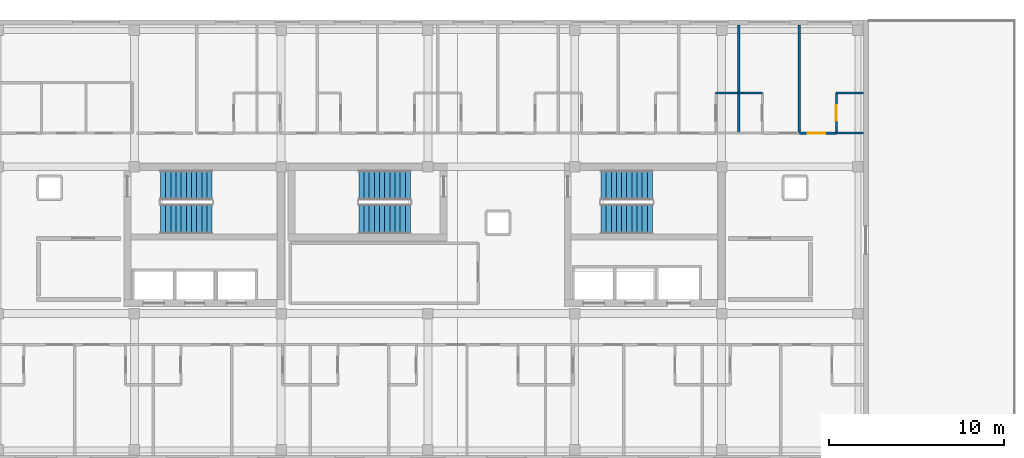
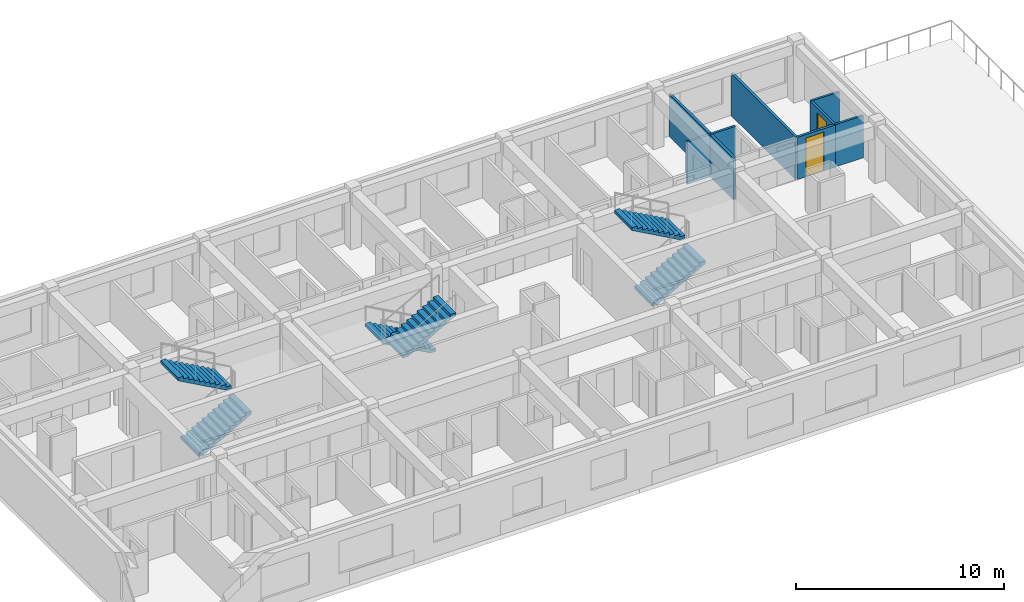
# One storey, part 7 of 9: 8 walls, 6 stair flights, 2 doors, 2 openings, 3 elements without a shape of their own.
"""IFC4 building model written with IfcOpenShell, lengths in metres."""

from ifc_helpers import new_model, si_unit, direction, frame, frame_2d, origin, place, context, subcontext, project, spatial, polyline, rectangle, outline, extrude, material, layer, layer_set, type_object, element, fill, aggregate, save


model = new_model("IFC4")

# Units and contexts
model_context = context("Model", 3, precision=1e-05, world=origin(), true_north=direction((0.0, 1.0)))
body_context = subcontext(model_context, "Body", "Model", "MODEL_VIEW")
ifc_project = project(units=[si_unit("LENGTHUNIT", "METRE"), si_unit("AREAUNIT", "SQUARE_METRE"), si_unit("VOLUMEUNIT", "CUBIC_METRE"), si_unit("PLANEANGLEUNIT", "RADIAN"), si_unit("MASSUNIT", "GRAM", prefix="KILO")], contexts=[model_context])

# Site, building, storey
site_placement = place(None, origin())
site = spatial("IfcSite", under=ifc_project, at=site_placement, CompositionType="ELEMENT")
building_placement = place(site_placement, origin())
building = spatial("IfcBuilding", under=site, at=building_placement, Name="Zayran Congress Hotel", CompositionType="ELEMENT")
storey_placement = place(building_placement, frame((0.0, 0.0, 40.800048828125)))
storey = spatial("IfcBuildingStorey", under=building, at=storey_placement, Name="L10", CompositionType="ELEMENT", Elevation=40.800048828125)

# Wall, opening, door
ifc_material_1 = material(Name="Hospitality guestroom acoustic partition", Category="gypsum")
ifc_layer_1 = layer(ifc_material_1, 0.139892578125)
ifc_layer_set_1 = layer_set([ifc_layer_1], Name="Hospitality guestroom acoustic partition")
wall_type_1 = type_object("IfcWallType", Name="WL-PT-140", PredefinedType="PARTITIONING", material=ifc_layer_set_1)
wall_1_placement = place(storey_placement, frame((63.262939453125, 27.530029296875, 0.0), z_axis=(0.0, 0.0, 1.0), x_axis=(1.0, 0.0, 0.0)))
wall_1 = element("IfcWall", 1, at=wall_1_placement, inside=storey, type_object=wall_type_1, Name="IW-L10-0836", PredefinedType="PARTITIONING", context=body_context, shape_type="SweptSolid", body=[
    extrude(rectangle(XDim=2.107177734375, YDim=0.139892578125, at=frame_2d((1.0537109375, 0.0))), origin(), (0.0, 0.0, 1.0), 2.47998046875),
])
opening_1_placement = place(wall_1_placement, frame((0.465087890625, 0.0, 0.0)))
opening_1 = element("IfcOpeningElement", 2, at=opening_1_placement, cuts=wall_1, Name="Opening DR-GR-04", PredefinedType="OPENING", context=body_context, shape_type="SweptSolid", body=[
    extrude(rectangle(XDim=1.0, YDim=2.280029296875, at=frame_2d((0.5, 1.14013671875))), frame((0.0, 0.079833984375, 0.0), z_axis=(0.0, -1.0, 0.0), x_axis=(1.0, 0.0, 0.0)), (0.0, 0.0, 1.0), 0.159912109375),
])
ifc_material_2 = material(Name="Diplomatic walnut veneer entry door", Category="wood")
door_type_1 = type_object("IfcDoorType", Name="TP-DR-GR-04", OperationType="NOTDEFINED", PredefinedType="DOOR", material=ifc_material_2)
door_1_placement = place(opening_1_placement, origin())
door_1 = element("IfcDoor", 3, at=door_1_placement, inside=storey, type_object=door_type_1, Name="Guest Room L10-22 Door", OperationType="SINGLE_SWING_RIGHT", OverallHeight=2.280029296875, OverallWidth=1.0, PredefinedType="DOOR", context=body_context, shape_type="SweptSolid", body=[
    extrude(rectangle(XDim=1.0, YDim=2.280029296875, at=frame_2d((0.5, 1.14013671875))), frame((0.0, 0.02490234375, 0.0), z_axis=(0.0, -1.0, 0.0), x_axis=(1.0, 0.0, 0.0)), (0.0, 0.0, 1.0), 0.050048828125),
])
fill(opening_1, door_1)

# Walls
for number, where, z_axis, x_axis, name in (
    (4, (59.794921875, 27.52001953125, 0.0), (0.0, 0.0, 1.0), (0.0, 1.0, 0.0), "IW-L10-2169"),
    (5, (63.242919921875, 27.52001953125, 0.0), (0.0, 0.0, 1.0), (0.0, 1.0, 0.0), "IW-L10-2170"),
):
    element("IfcWall", number, at=place(storey_placement, frame(where, z_axis=z_axis, x_axis=x_axis)), inside=storey, type_object=wall_type_1, Name=name, PredefinedType="PARTITIONING", context=body_context, shape_type="SweptSolid", body=[
        extrude(rectangle(XDim=6.199951171875, YDim=0.139892578125, at=frame_2d((3.10009765625, 0.0))), origin(), (0.0, 0.0, 1.0), 2.47998046875),
    ])

# Wall, opening, door
ifc_material_3 = material(Name="Moisture-resistant bathroom partition", Category="gypsum")
ifc_layer_2 = layer(ifc_material_3, 0.1201171875)
ifc_layer_set_2 = layer_set([ifc_layer_2], Name="Moisture-resistant bathroom partition")
wall_type_2 = type_object("IfcWallType", Name="WL-PT-120", PredefinedType="PARTITIONING", material=ifc_layer_set_2)
wall_2_placement = place(storey_placement, frame((65.3701171875, 27.52001953125, 0.0), z_axis=(0.0, 0.0, 1.0), x_axis=(0.0, 1.0, 0.0)))
wall_2 = element("IfcWall", 6, at=wall_2_placement, inside=storey, type_object=wall_type_2, Name="IW-L10-0316", PredefinedType="PARTITIONING", context=body_context, shape_type="SweptSolid", body=[
    extrude(rectangle(XDim=2.31005859375, YDim=0.1201171875, at=frame_2d((1.155029296875, 0.0))), origin(), (0.0, 0.0, 1.0), 2.47998046875),
])
opening_2_placement = place(wall_2_placement, frame((0.705078125, 0.0, 0.0)))
opening_2 = element("IfcOpeningElement", 7, at=opening_2_placement, cuts=wall_2, Name="Opening DR-BT-03", PredefinedType="OPENING", context=body_context, shape_type="SweptSolid", body=[
    extrude(rectangle(XDim=0.89990234375, YDim=2.179931640625, at=frame_2d((0.449951171875, 1.08984375))), frame((0.0, 0.070068359375, 0.0), z_axis=(0.0, -1.0, 0.0), x_axis=(1.0, 0.0, 0.0)), (0.0, 0.0, 1.0), 0.14013671875),
])
ifc_material_4 = material(Name="Suite oak en-suite bathroom door", Category="wood")
door_type_2 = type_object("IfcDoorType", Name="TP-DR-BT-03", OperationType="NOTDEFINED", PredefinedType="DOOR", material=ifc_material_4)
door_2_placement = place(opening_2_placement, origin())
door_2 = element("IfcDoor", 8, at=door_2_placement, inside=storey, type_object=door_type_2, Name="En-Suite Bathroom L10-22 Door", OperationType="SINGLE_SWING_LEFT", OverallHeight=2.179931640625, OverallWidth=0.89990234375, PredefinedType="DOOR", context=body_context, shape_type="SweptSolid", body=[
    extrude(rectangle(XDim=0.89990234375, YDim=2.179931640625, at=frame_2d((0.449951171875, 1.08984375))), frame((0.0, 0.02490234375, 0.0), z_axis=(0.0, -1.0, 0.0), x_axis=(1.0, 0.0, 0.0)), (0.0, 0.0, 1.0), 0.050048828125),
])
fill(opening_2, door_2)

# Walls
wall_3_placement = place(storey_placement, frame((58.465087890625, 29.820068359375, 0.0), z_axis=(0.0, 0.0, 1.0), x_axis=(1.0, 0.0, 0.0)))
element("IfcWall", 9, at=wall_3_placement, inside=storey, type_object=wall_type_2, Name="IW-L10-1496", PredefinedType="PARTITIONING", context=body_context, shape_type="SweptSolid", body=[
    extrude(rectangle(XDim=1.33984375, YDim=0.1201171875, at=frame_2d((0.669921875, 0.0))), origin(), (0.0, 0.0, 1.0), 2.47998046875),
])
wall_4_placement = place(storey_placement, frame((59.804931640625, 29.820068359375, 0.0), z_axis=(0.0, 0.0, 1.0), x_axis=(1.0, 0.0, 0.0)))
element("IfcWall", 10, at=wall_4_placement, inside=storey, type_object=wall_type_2, Name="IW-L10-1498", PredefinedType="PARTITIONING", context=body_context, shape_type="SweptSolid", body=[
    extrude(rectangle(XDim=1.340087890625, YDim=0.1201171875, at=frame_2d((0.669921875, 0.0))), origin(), (0.0, 0.0, 1.0), 2.47998046875),
])
for number, where, z_axis, x_axis, name in (
    (11, (65.360107421875, 27.530029296875, 0.0), (0.0, 0.0, 1.0), (1.0, 0.0, 0.0), "IW-L10-1499"),
    (12, (65.360107421875, 29.820068359375, 0.0), (0.0, 0.0, 1.0), (1.0, 0.0, 0.0), "IW-L10-1500"),
):
    element("IfcWall", number, at=place(storey_placement, frame(where, z_axis=z_axis, x_axis=x_axis)), inside=storey, type_object=wall_type_2, Name=name, PredefinedType="PARTITIONING", context=body_context, shape_type="SweptSolid", body=[
        extrude(rectangle(XDim=1.559814453125, YDim=0.1201171875, at=frame_2d((0.77978515625, 0.0))), origin(), (0.0, 0.0, 1.0), 2.47998046875),
    ])

# Stair, stair flights
ifc_material_5 = material(Name="Concrete C32/40", Category="concrete")
stair_type = type_object("IfcStairType", Name="TP-STR-1700-36", PredefinedType="USERDEFINED", material=ifc_material_5)
stair_1_placement = place(storey_placement, origin())
stair_1 = element("IfcStair", 13, at=stair_1_placement, inside=storey, type_object=stair_type, Name="L10 ST-01", ObjectType="TWO_RETURN_STAIR", PredefinedType="USERDEFINED")
stair_flight_type = type_object("IfcStairFlightType", Name="TP-STF-1700-36", PredefinedType="STRAIGHT", material=ifc_material_5)
stair_flight_1_placement = place(storey_placement, frame((26.699951171875, 22.610107421875, 0.0), z_axis=(0.0, 0.0, 1.0), x_axis=(1.0, 0.0, 0.0)))
stair_flight_1 = element("IfcStairFlight", 14, at=stair_flight_1_placement, type_object=stair_flight_type, Name="ST-01 flight 1", NumberOfRisers=11, NumberOfTreads=10, PredefinedType="STRAIGHT", RiserHeight=0.1636363636363637, TreadLength=0.295, context=body_context, shape_type="SweptSolid", body=[
    extrude(outline(polyline([(0.0, 0.0), (0.0, 0.16357421875), (0.294921875, 0.16357421875), (0.294921875, 0.327392578125), (0.590087890625, 0.327392578125), (0.590087890625, 0.490966796875), (0.885009765625, 0.490966796875), (0.885009765625, 0.654541015625), (1.179931640625, 0.654541015625), (1.179931640625, 0.818115234375), (1.47509765625, 0.818115234375), (1.47509765625, 0.98193359375), (1.77001953125, 0.98193359375), (1.77001953125, 1.1455078125), (2.06494140625, 1.1455078125), (2.06494140625, 1.30908203125), (2.360107421875, 1.30908203125), (2.360107421875, 1.47265625), (2.655029296875, 1.47265625), (2.655029296875, 1.636474609375), (2.949951171875, 1.636474609375), (2.949951171875, 1.800048828125), (2.949951171875, 1.46484375), (0.30908203125, 0.0), (0.0, 0.0)])), frame((0.0, 0.85009765625, 0.0), z_axis=(0.0, -1.0, 0.0), x_axis=(1.0, 0.0, 0.0)), (0.0, 0.0, 1.0), 1.699951171875),
])
stair_flight_2_placement = place(storey_placement, frame((29.64990234375, 24.550048828125, 1.800048828125), z_axis=(0.0, 0.0, 1.0), x_axis=(-1.0, 0.0, 0.0)))
stair_flight_2 = element("IfcStairFlight", 15, at=stair_flight_2_placement, type_object=stair_flight_type, Name="ST-01 flight 2", NumberOfRisers=11, NumberOfTreads=10, PredefinedType="STRAIGHT", RiserHeight=0.1636363636363637, TreadLength=0.295, context=body_context, shape_type="SweptSolid", body=[
    extrude(outline(polyline([(0.0, 0.0), (0.0, 0.16357421875), (0.294921875, 0.16357421875), (0.294921875, 0.327392578125), (0.590087890625, 0.327392578125), (0.590087890625, 0.490966796875), (0.885009765625, 0.490966796875), (0.885009765625, 0.654541015625), (1.179931640625, 0.654541015625), (1.179931640625, 0.818115234375), (1.47509765625, 0.818115234375), (1.47509765625, 0.98193359375), (1.77001953125, 0.98193359375), (1.77001953125, 1.1455078125), (2.06494140625, 1.1455078125), (2.06494140625, 1.30908203125), (2.360107421875, 1.30908203125), (2.360107421875, 1.47265625), (2.655029296875, 1.47265625), (2.655029296875, 1.636474609375), (2.949951171875, 1.636474609375), (2.949951171875, 1.800048828125), (2.949951171875, 1.46484375), (0.30908203125, 0.0), (0.0, 0.0)])), frame((0.0, 0.85009765625, 0.0), z_axis=(0.0, -1.0, 0.0), x_axis=(1.0, 0.0, 0.0)), (0.0, 0.0, 1.0), 1.699951171875),
])
aggregate(stair_1, [stair_flight_1, stair_flight_2])

stair_2_placement = place(storey_placement, origin())
stair_2 = element("IfcStair", 16, at=stair_2_placement, inside=storey, type_object=stair_type, Name="L10 ST-02", ObjectType="TWO_RETURN_STAIR", PredefinedType="USERDEFINED")
stair_flight_3_placement = place(storey_placement, frame((51.89990234375, 22.610107421875, 0.0), z_axis=(0.0, 0.0, 1.0), x_axis=(1.0, 0.0, 0.0)))
stair_flight_3 = element("IfcStairFlight", 17, at=stair_flight_3_placement, type_object=stair_flight_type, Name="ST-02 flight 1", NumberOfRisers=11, NumberOfTreads=10, PredefinedType="STRAIGHT", RiserHeight=0.1636363636363637, TreadLength=0.295, context=body_context, shape_type="SweptSolid", body=[
    extrude(outline(polyline([(0.0, 0.0), (0.0, 0.16357421875), (0.294921875, 0.16357421875), (0.294921875, 0.327392578125), (0.590087890625, 0.327392578125), (0.590087890625, 0.490966796875), (0.885009765625, 0.490966796875), (0.885009765625, 0.654541015625), (1.179931640625, 0.654541015625), (1.179931640625, 0.818115234375), (1.47509765625, 0.818115234375), (1.47509765625, 0.98193359375), (1.77001953125, 0.98193359375), (1.77001953125, 1.1455078125), (2.06494140625, 1.1455078125), (2.06494140625, 1.30908203125), (2.360107421875, 1.30908203125), (2.360107421875, 1.47265625), (2.655029296875, 1.47265625), (2.655029296875, 1.636474609375), (2.949951171875, 1.636474609375), (2.949951171875, 1.800048828125), (2.949951171875, 1.46484375), (0.30908203125, 0.0), (0.0, 0.0)])), frame((0.0, 0.85009765625, 0.0), z_axis=(0.0, -1.0, 0.0), x_axis=(1.0, 0.0, 0.0)), (0.0, 0.0, 1.0), 1.699951171875),
])
stair_flight_4_placement = place(storey_placement, frame((54.85009765625, 24.550048828125, 1.800048828125), z_axis=(0.0, 0.0, 1.0), x_axis=(-1.0, 0.0, 0.0)))
stair_flight_4 = element("IfcStairFlight", 18, at=stair_flight_4_placement, type_object=stair_flight_type, Name="ST-02 flight 2", NumberOfRisers=11, NumberOfTreads=10, PredefinedType="STRAIGHT", RiserHeight=0.1636363636363637, TreadLength=0.295, context=body_context, shape_type="SweptSolid", body=[
    extrude(outline(polyline([(0.0, 0.0), (0.0, 0.16357421875), (0.294921875, 0.16357421875), (0.294921875, 0.327392578125), (0.590087890625, 0.327392578125), (0.590087890625, 0.490966796875), (0.885009765625, 0.490966796875), (0.885009765625, 0.654541015625), (1.179931640625, 0.654541015625), (1.179931640625, 0.818115234375), (1.47509765625, 0.818115234375), (1.47509765625, 0.98193359375), (1.77001953125, 0.98193359375), (1.77001953125, 1.1455078125), (2.06494140625, 1.1455078125), (2.06494140625, 1.30908203125), (2.360107421875, 1.30908203125), (2.360107421875, 1.47265625), (2.655029296875, 1.47265625), (2.655029296875, 1.636474609375), (2.949951171875, 1.636474609375), (2.949951171875, 1.800048828125), (2.949951171875, 1.46484375), (0.30908203125, 0.0), (0.0, 0.0)])), frame((0.0, 0.85009765625, 0.0), z_axis=(0.0, -1.0, 0.0), x_axis=(1.0, 0.0, 0.0)), (0.0, 0.0, 1.0), 1.699951171875),
])
aggregate(stair_2, [stair_flight_3, stair_flight_4])

stair_3_placement = place(storey_placement, origin())
stair_3 = element("IfcStair", 19, at=stair_3_placement, inside=storey, type_object=stair_type, Name="L10 ST-13", ObjectType="TWO_RETURN_STAIR", PredefinedType="USERDEFINED")
stair_flight_5_placement = place(storey_placement, frame((41.0, 24.550048828125, 0.0), z_axis=(0.0, 0.0, 1.0), x_axis=(-1.0, 0.0, 0.0)))
stair_flight_5 = element("IfcStairFlight", 20, at=stair_flight_5_placement, type_object=stair_flight_type, Name="ST-13 flight 1", NumberOfRisers=11, NumberOfTreads=10, PredefinedType="STRAIGHT", RiserHeight=0.1636363636363637, TreadLength=0.295, context=body_context, shape_type="SweptSolid", body=[
    extrude(outline(polyline([(0.0, 0.0), (0.0, 0.16357421875), (0.294921875, 0.16357421875), (0.294921875, 0.327392578125), (0.590087890625, 0.327392578125), (0.590087890625, 0.490966796875), (0.885009765625, 0.490966796875), (0.885009765625, 0.654541015625), (1.179931640625, 0.654541015625), (1.179931640625, 0.818115234375), (1.47509765625, 0.818115234375), (1.47509765625, 0.98193359375), (1.77001953125, 0.98193359375), (1.77001953125, 1.1455078125), (2.06494140625, 1.1455078125), (2.06494140625, 1.30908203125), (2.360107421875, 1.30908203125), (2.360107421875, 1.47265625), (2.655029296875, 1.47265625), (2.655029296875, 1.636474609375), (2.949951171875, 1.636474609375), (2.949951171875, 1.800048828125), (2.949951171875, 1.46484375), (0.30908203125, 0.0), (0.0, 0.0)])), frame((0.0, 0.85009765625, 0.0), z_axis=(0.0, -1.0, 0.0), x_axis=(1.0, 0.0, 0.0)), (0.0, 0.0, 1.0), 1.699951171875),
])
stair_flight_6_placement = place(storey_placement, frame((38.050048828125, 22.610107421875, 1.800048828125), z_axis=(0.0, 0.0, 1.0), x_axis=(1.0, 0.0, 0.0)))
stair_flight_6 = element("IfcStairFlight", 21, at=stair_flight_6_placement, type_object=stair_flight_type, Name="ST-13 flight 2", NumberOfRisers=11, NumberOfTreads=10, PredefinedType="STRAIGHT", RiserHeight=0.1636363636363637, TreadLength=0.295, context=body_context, shape_type="SweptSolid", body=[
    extrude(outline(polyline([(0.0, 0.0), (0.0, 0.16357421875), (0.294921875, 0.16357421875), (0.294921875, 0.327392578125), (0.590087890625, 0.327392578125), (0.590087890625, 0.490966796875), (0.885009765625, 0.490966796875), (0.885009765625, 0.654541015625), (1.179931640625, 0.654541015625), (1.179931640625, 0.818115234375), (1.47509765625, 0.818115234375), (1.47509765625, 0.98193359375), (1.77001953125, 0.98193359375), (1.77001953125, 1.1455078125), (2.06494140625, 1.1455078125), (2.06494140625, 1.30908203125), (2.360107421875, 1.30908203125), (2.360107421875, 1.47265625), (2.655029296875, 1.47265625), (2.655029296875, 1.636474609375), (2.949951171875, 1.636474609375), (2.949951171875, 1.800048828125), (2.949951171875, 1.46484375), (0.30908203125, 0.0), (0.0, 0.0)])), frame((0.0, 0.85009765625, 0.0), z_axis=(0.0, -1.0, 0.0), x_axis=(1.0, 0.0, 0.0)), (0.0, 0.0, 1.0), 1.699951171875),
])
aggregate(stair_3, [stair_flight_5, stair_flight_6])

save(model, "model.ifc")
